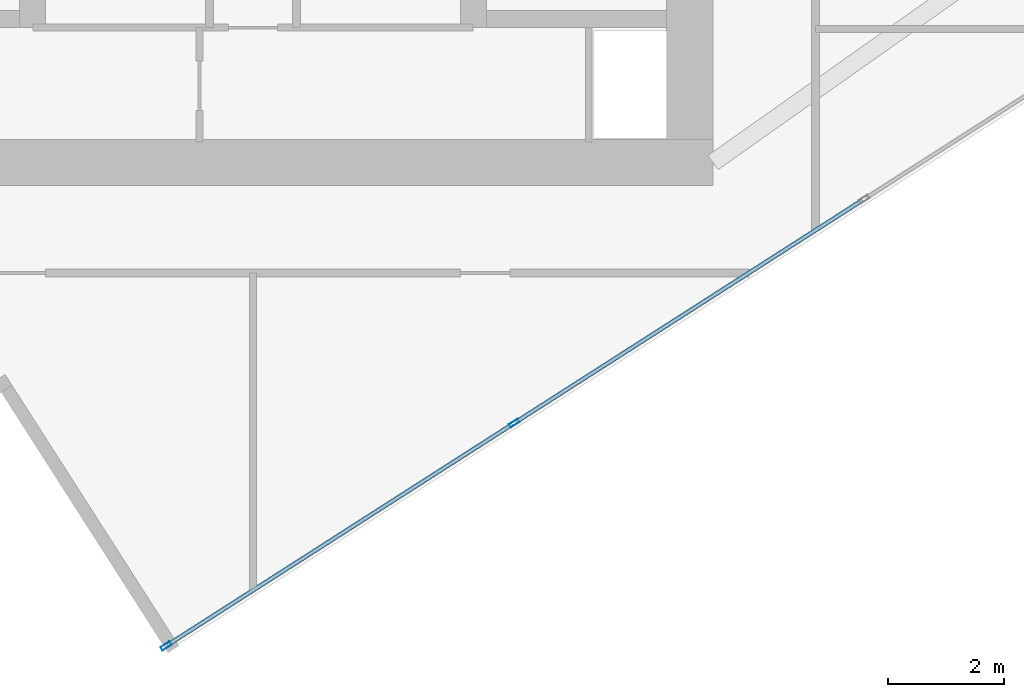
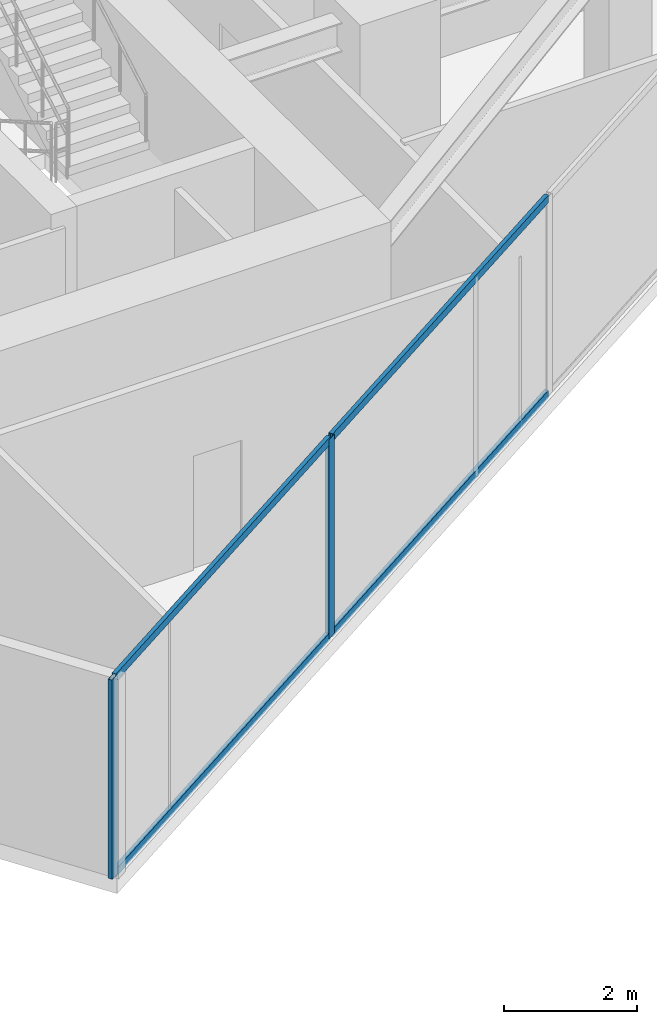
# One storey, part 3 of 20: 6 members, 1 element without a shape of its own.
"""IFC4 building model written with IfcOpenShell, lengths in metres."""

from ifc_helpers import new_model, si_unit, direction, frame, origin, origin_2d, place, context, subcontext, project, spatial, hollow_rectangle, extrude, source, transform, mapped, material, material_profile, profile_set, type_object, type_shapes, element, aggregate, save


model = new_model("IFC4")

# Units and contexts
model_context = context("Model", 3, precision=1e-05, world=origin(), true_north=direction((0.0, 1.0)))
body_context = subcontext(model_context, "Body", "Model", "MODEL_VIEW")
ifc_project = project(units=[si_unit("LENGTHUNIT", "METRE"), si_unit("AREAUNIT", "SQUARE_METRE"), si_unit("VOLUMEUNIT", "CUBIC_METRE"), si_unit("PLANEANGLEUNIT", "RADIAN"), si_unit("MASSUNIT", "GRAM", prefix="KILO")], contexts=[model_context])

# Site, building, storey
site_placement = place(None, origin())
site = spatial("IfcSite", under=ifc_project, at=site_placement, CompositionType="ELEMENT")
building_placement = place(site_placement, origin())
building = spatial("IfcBuilding", under=site, at=building_placement, Name="Krantzveldt Concourse Tower", CompositionType="ELEMENT")
storey_placement = place(building_placement, frame((0.0, 0.0, 291.10009765625)))
storey = spatial("IfcBuildingStorey", under=building, at=storey_placement, Name="L71", CompositionType="ELEMENT", Elevation=291.10009765625)

# Curtain wall, members
ifc_material = material(Name="Anodised aluminium 6063-T6", Category="aluminium")
curtain_wall_type = type_object("IfcCurtainWallType", Name="CW4", PredefinedType="USERDEFINED", material=ifc_material)
curtain_wall_placement = place(storey_placement, origin())
curtain_wall = element("IfcCurtainWall", 1, at=curtain_wall_placement, inside=storey, type_object=curtain_wall_type, Name="CW-L71-F07", ObjectType="UNITISED CURTAIN WALL", PredefinedType="USERDEFINED")
ifc_material_profile_1 = material_profile(ifc_material, hollow_rectangle(XDim=0.070068359375, YDim=0.179931640625, WallThickness=0.0048828125, at=origin_2d()), Name="Anodised aluminium 6063-T6", Category="aluminium")
ifc_profile_set_1 = profile_set([ifc_material_profile_1], Name="Anodised aluminium 6063-T6 - ALU-MULL 180x70x5")
member_type_1 = type_object("IfcMemberType", Name="CW-MUL-180", PredefinedType="MULLION", material=ifc_profile_set_1)
shared_shape_1 = source(origin(), body_context, "Body", "SweptSolid", [
    extrude(hollow_rectangle(XDim=0.070068359375, YDim=0.179931640625, WallThickness=0.0048828125, at=origin_2d()), origin(), (0.0, 0.0, 1.0), 3.669921875),
])
type_shapes(member_type_1, [shared_shape_1])
member_1_placement = place(storey_placement, frame((34.50439453125, 2.57763671875, 0.0), z_axis=(0.0, 0.0, 1.0), x_axis=(-0.53913830827, 0.842217243088, 0.0)))
member_1 = element("IfcMember", 2, at=member_1_placement, type_object=member_type_1, Name="CW-Z56 mullion 1", PredefinedType="MULLION", context=body_context, shape_type="MappedRepresentation", body=[
    mapped(shared_shape_1, transform((0.0, 0.0, 0.0), x_axis=(1.0, 0.0, 0.0), y_axis=(0.0, 1.0, 0.0), z_axis=(0.0, 0.0, 1.0), scale=1.0)),
])
member_2_placement = place(storey_placement, frame((40.496826171875, 6.41357421875, 0.0), z_axis=(0.0, 0.0, 1.0), x_axis=(-0.53913830827, 0.842217243088, 0.0)))
member_2 = element("IfcMember", 3, at=member_2_placement, type_object=member_type_1, Name="CW-Z56 mullion 2", PredefinedType="MULLION", context=body_context, shape_type="MappedRepresentation", body=[
    mapped(shared_shape_1, transform((0.0, 0.0, 0.0), x_axis=(1.0, 0.0, 0.0), y_axis=(0.0, 1.0, 0.0), z_axis=(0.0, 0.0, 1.0), scale=1.0)),
])
ifc_material_profile_2 = material_profile(ifc_material, hollow_rectangle(XDim=0.070068359375, YDim=0.139892578125, WallThickness=0.0048828125, at=origin_2d()), Name="Anodised aluminium 6063-T6", Category="aluminium")
ifc_profile_set_2 = profile_set([ifc_material_profile_2], Name="Anodised aluminium 6063-T6 - ALU-TRAN 140x70x5")
member_type_2 = type_object("IfcMemberType", Name="CW-TRN-150", PredefinedType="USERDEFINED", material=ifc_profile_set_2)
shared_shape_2 = source(origin(), body_context, "Body", "SweptSolid", [
    extrude(hollow_rectangle(XDim=0.070068359375, YDim=0.139892578125, WallThickness=0.0048828125, at=origin_2d()), origin(), (0.0, 0.0, 1.0), 7.044921875),
])
member_3_placement = place(storey_placement, frame((34.533935546875, 2.596435546875, 0.034912109375), z_axis=(0.842222935186, 0.539129416232, 0.0), x_axis=(-0.539129416232, 0.842222935186, 0.0)))
member_3 = element("IfcMember", 4, at=member_3_placement, type_object=member_type_2, Name="CW-Z56 transom 1.1", ObjectType="TRANSOM", PredefinedType="USERDEFINED", context=body_context, shape_type="MappedRepresentation", body=[
    mapped(shared_shape_2, transform((0.0, 0.0, 0.0), x_axis=(1.0, 0.0, 0.0), y_axis=(0.0, 1.0, 0.0), z_axis=(0.0, 0.0, 1.0), scale=1.0)),
])
member_4_placement = place(storey_placement, frame((34.533935546875, 2.596435546875, 3.635009765625), z_axis=(0.842222935186, 0.539129416232, 0.0), x_axis=(-0.539129416232, 0.842222935186, 0.0)))
member_4 = element("IfcMember", 5, at=member_4_placement, type_object=member_type_2, Name="CW-Z56 transom 1.2", ObjectType="TRANSOM", PredefinedType="USERDEFINED", context=body_context, shape_type="MappedRepresentation", body=[
    mapped(shared_shape_2, transform((0.0, 0.0, 0.0), x_axis=(1.0, 0.0, 0.0), y_axis=(0.0, 1.0, 0.0), z_axis=(0.0, 0.0, 1.0), scale=1.0)),
])
shared_shape_3 = source(origin(), body_context, "Body", "SweptSolid", [
    extrude(hollow_rectangle(XDim=0.070068359375, YDim=0.139892578125, WallThickness=0.0048828125, at=origin_2d()), origin(), (0.0, 0.0, 1.0), 7.080078125),
])
type_shapes(member_type_2, [shared_shape_2, shared_shape_3])
member_5_placement = place(storey_placement, frame((40.526123046875, 6.432373046875, 0.034912109375), z_axis=(0.842214406915, 0.539142738786, 0.0), x_axis=(-0.539142738786, 0.842214406915, 0.0)))
member_5 = element("IfcMember", 6, at=member_5_placement, type_object=member_type_2, Name="CW-Z56 transom 2.1", ObjectType="TRANSOM", PredefinedType="USERDEFINED", context=body_context, shape_type="MappedRepresentation", body=[
    mapped(shared_shape_3, transform((0.0, 0.0, 0.0), x_axis=(1.0, 0.0, 0.0), y_axis=(0.0, 1.0, 0.0), z_axis=(0.0, 0.0, 1.0), scale=1.0)),
])
member_6_placement = place(storey_placement, frame((40.526123046875, 6.432373046875, 3.635009765625), z_axis=(0.842214406915, 0.539142738786, 0.0), x_axis=(-0.539142738786, 0.842214406915, 0.0)))
member_6 = element("IfcMember", 7, at=member_6_placement, type_object=member_type_2, Name="CW-Z56 transom 2.2", ObjectType="TRANSOM", PredefinedType="USERDEFINED", context=body_context, shape_type="MappedRepresentation", body=[
    mapped(shared_shape_3, transform((0.0, 0.0, 0.0), x_axis=(1.0, 0.0, 0.0), y_axis=(0.0, 1.0, 0.0), z_axis=(0.0, 0.0, 1.0), scale=1.0)),
])
aggregate(curtain_wall, [member_1, member_2, member_3, member_4, member_5, member_6])

save(model, "model.ifc")
